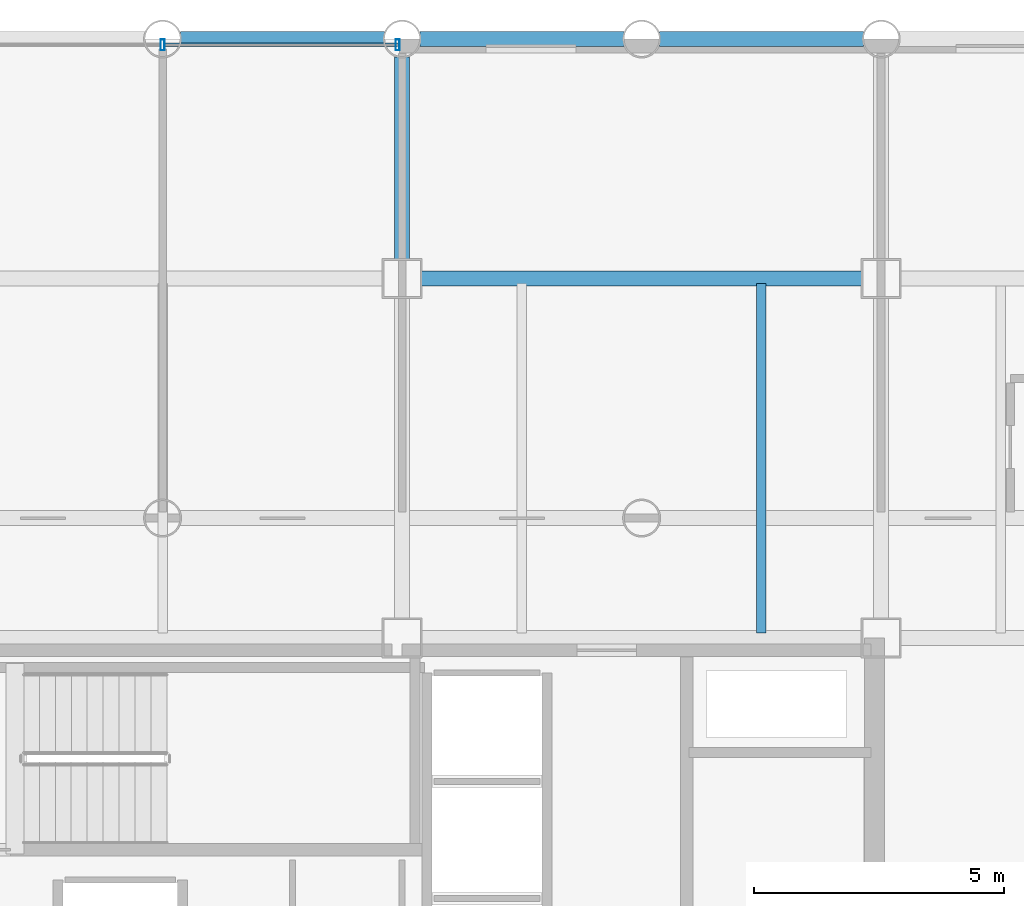
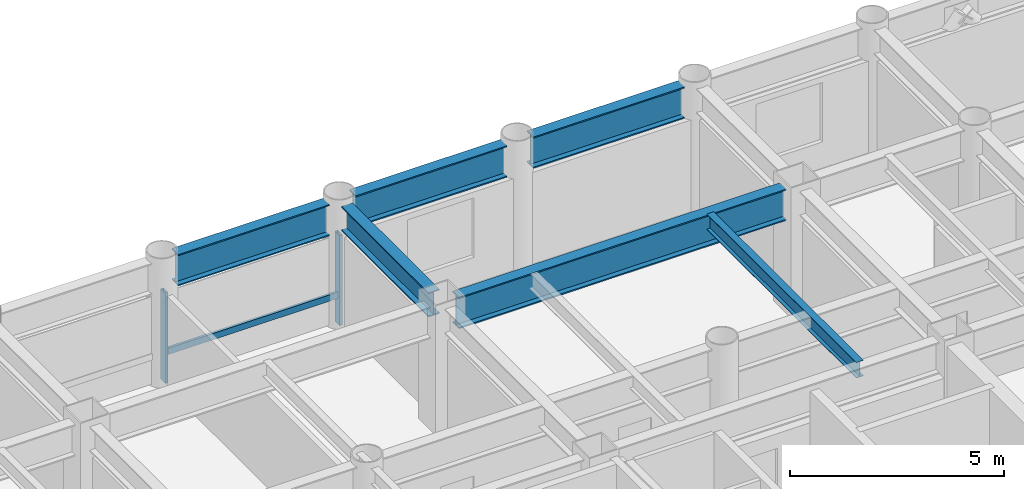
# One storey, part 12 of 21: 6 beams, 3 members, 1 element without a shape of its own.
"""IFC4 building model written with IfcOpenShell, lengths in metres."""

from ifc_helpers import new_model, si_unit, direction, frame, origin, origin_2d, place, context, subcontext, project, spatial, hollow_rectangle, i_section, extrude, material, layer, layer_set, material_profile, profile_set, type_object, element, aggregate, save


model = new_model("IFC4")

# Units and contexts
model_context = context("Model", 3, precision=1e-05, world=origin(), true_north=direction((0.0, 1.0)))
body_context = subcontext(model_context, "Body", "Model", "MODEL_VIEW")
ifc_project = project(units=[si_unit("LENGTHUNIT", "METRE"), si_unit("AREAUNIT", "SQUARE_METRE"), si_unit("VOLUMEUNIT", "CUBIC_METRE"), si_unit("PLANEANGLEUNIT", "RADIAN"), si_unit("MASSUNIT", "GRAM", prefix="KILO")], contexts=[model_context])

# Site, building, storey
site_placement = place(None, origin())
site = spatial("IfcSite", under=ifc_project, at=site_placement, CompositionType="ELEMENT")
building_placement = place(site_placement, origin())
building = spatial("IfcBuilding", under=site, at=building_placement, Name="Kallvorn Hotel Tower", CompositionType="ELEMENT")
storey_placement = place(building_placement, frame((0.0, 0.0, 52.199951171875)))
storey = spatial("IfcBuildingStorey", under=building, at=storey_placement, Name="L11", CompositionType="ELEMENT", Elevation=52.199951171875)

# Beams
ifc_material_1 = material(Name="Structural steel S355JR", Category="steel")
ifc_material_profile_1 = material_profile(ifc_material_1, i_section(OverallWidth=0.300048828125, OverallDepth=0.699951171875, WebThickness=0.01708984375, FlangeThickness=0.031982421875, at=origin_2d()), Name="HE 700 B")
ifc_profile_set_1 = profile_set([ifc_material_profile_1], Name="Structural steel S355JR")
beam_type_1 = type_object("IfcBeamType", Name="BM_HE700B", PredefinedType="BEAM", material=ifc_profile_set_1)
beam_1_placement = place(storey_placement, frame((4.800048828125, 14.77490234375, 3.170166015625), z_axis=(0.0, 1.0, 0.0), x_axis=(-1.0, 0.0, 0.0)))
element("IfcBeam", 1, at=beam_1_placement, inside=storey, type_object=beam_type_1, Name="L12 Primary Y-Girder 118", PredefinedType="BEAM", context=body_context, shape_type="SweptSolid", body=[
    extrude(i_section(OverallWidth=0.300048828125, OverallDepth=0.699951171875, WebThickness=0.01708984375, FlangeThickness=0.031982421875, at=origin_2d()), origin(), (0.0, 0.0, 1.0), 4.069091796875),
])
ifc_material_2 = material(Name="Structural steel S355JR", Category="steel")
ifc_material_profile_2 = material_profile(ifc_material_2, i_section(OverallWidth=0.300048828125, OverallDepth=0.89990234375, WebThickness=0.0185546875, FlangeThickness=0.034912109375, at=origin_2d()), Name="HE 900 B")
ifc_profile_set_2 = profile_set([ifc_material_profile_2], Name="Structural steel S355JR")
beam_type_2 = type_object("IfcBeamType", Name="BM_HE900B", PredefinedType="BEAM", material=ifc_profile_set_2)
beam_2_placement = place(storey_placement, frame((5.175048828125, 14.39990234375, 3.070068359375), z_axis=(1.0, 0.0, 0.0), x_axis=(0.0, 1.0, 0.0)))
element("IfcBeam", 2, at=beam_2_placement, inside=storey, type_object=beam_type_2, Name="L12 Primary X-Girder 57", PredefinedType="BEAM", context=body_context, shape_type="SweptSolid", body=[
    extrude(i_section(OverallWidth=0.300048828125, OverallDepth=0.89990234375, WebThickness=0.0185546875, FlangeThickness=0.034912109375, at=origin_2d()), origin(), (0.0, 0.0, 1.0), 8.849853515625),
])
beam_3_placement = place(storey_placement, frame((0.35595703125, 19.199951171875, 3.070068359375), z_axis=(1.0, 0.0, 0.0), x_axis=(0.0, 1.0, 0.0)))
element("IfcBeam", 3, at=beam_3_placement, inside=storey, type_object=beam_type_2, Name="L12 Primary X-Girder 67", PredefinedType="BEAM", context=body_context, shape_type="SweptSolid", body=[
    extrude(i_section(OverallWidth=0.300048828125, OverallDepth=0.89990234375, WebThickness=0.0185546875, FlangeThickness=0.034912109375, at=origin_2d()), origin(), (0.0, 0.0, 1.0), 4.088134765625),
])
for number, where, z_axis, x_axis, name in (
    (4, (5.156005859375, 19.199951171875, 3.070068359375), (1.0, 0.0, 0.0), (0.0, 1.0, 0.0), "L12 Primary X-Girder 68"),
    (5, (9.9560546875, 19.199951171875, 3.070068359375), (1.0, 0.0, 0.0), (0.0, 1.0, 0.0), "L12 Primary X-Girder 69"),
):
    element("IfcBeam", number, at=place(storey_placement, frame(where, z_axis=z_axis, x_axis=x_axis)), inside=storey, type_object=beam_type_2, Name=name, PredefinedType="BEAM", context=body_context, shape_type="SweptSolid", body=[
        extrude(i_section(OverallWidth=0.300048828125, OverallDepth=0.89990234375, WebThickness=0.0185546875, FlangeThickness=0.034912109375, at=origin_2d()), origin(), (0.0, 0.0, 1.0), 4.087890625),
    ])
ifc_material_3 = material(Name="Structural steel S355JR", Category="steel")
ifc_material_profile_3 = material_profile(ifc_material_3, i_section(OverallWidth=0.18994140625, OverallDepth=0.449951171875, WebThickness=0.009521484375, FlangeThickness=0.0146484375, at=origin_2d()), Name="IPE 450")
ifc_profile_set_3 = profile_set([ifc_material_profile_3], Name="Structural steel S355JR")
beam_type_3 = type_object("IfcBeamType", Name="BM_IPE450", PredefinedType="JOIST", material=ifc_profile_set_3)
beam_4_placement = place(storey_placement, frame((12.0, 7.300048828125, 3.295166015625), z_axis=(0.0, 1.0, 0.0), x_axis=(-1.0, 0.0, 0.0)))
element("IfcBeam", 6, at=beam_4_placement, inside=storey, type_object=beam_type_3, Name="L12 Secondary Composite Joist 205", PredefinedType="JOIST", context=body_context, shape_type="SweptSolid", body=[
    extrude(i_section(OverallWidth=0.18994140625, OverallDepth=0.449951171875, WebThickness=0.009521484375, FlangeThickness=0.0146484375, at=origin_2d()), origin(), (0.0, 0.0, 1.0), 7.0),
])

# Curtain wall, members
ifc_material_4 = material(Name="Thermally broken black-anodised aluminium AA 6063-T6", Category="aluminium")
ifc_layer = layer(ifc_material_4, 0.199951171875)
ifc_layer_set = layer_set([ifc_layer], Name="CW_SYS_3_HOTEL_LOW")
curtain_wall_type = type_object("IfcCurtainWallType", Name="CW_SYS_3_HOTEL_LOW", PredefinedType="USERDEFINED", material=ifc_layer_set)
curtain_wall_placement = place(storey_placement, origin())
curtain_wall = element("IfcCurtainWall", 7, at=curtain_wall_placement, inside=storey, type_object=curtain_wall_type, Name="L11 Dark-Glass Curtain Wall CW-L11-NC", ObjectType="UNITISED CURTAIN WALL", PredefinedType="USERDEFINED")
ifc_material_5 = material(Name="Thermally broken black-anodised aluminium AA 6063-T6", Category="aluminium")
ifc_material_profile_4 = material_profile(ifc_material_5, hollow_rectangle(XDim=0.080078125, YDim=0.219970703125, WallThickness=0.0048828125, at=origin_2d()), Name="MUL 220x80")
ifc_profile_set_4 = profile_set([ifc_material_profile_4], Name="Thermally broken black-anodised aluminium AA 6063-T6")
member_type_1 = type_object("IfcMemberType", Name="CW_MULLION_220x80", PredefinedType="MULLION", material=ifc_profile_set_4)
member_1_placement = place(storey_placement, frame((0.0, 19.080078125, 0.02001953125), z_axis=(0.0, 0.0, 1.0), x_axis=(1.0, 0.0, 0.0)))
member_1 = element("IfcMember", 8, at=member_1_placement, type_object=member_type_1, Name="CW-L11-NC Mullion 01", PredefinedType="MULLION", context=body_context, shape_type="SweptSolid", body=[
    extrude(hollow_rectangle(XDim=0.080078125, YDim=0.219970703125, WallThickness=0.0048828125, at=origin_2d()), origin(), (0.0, 0.0, 1.0), 2.580078125),
])
member_2_placement = place(storey_placement, frame((4.7099609375, 19.080078125, 0.02001953125), z_axis=(0.0, 0.0, 1.0), x_axis=(1.0, 0.0, 0.0)))
member_2 = element("IfcMember", 9, at=member_2_placement, type_object=member_type_1, Name="CW-L11-NC Mullion 02", PredefinedType="MULLION", context=body_context, shape_type="SweptSolid", body=[
    extrude(hollow_rectangle(XDim=0.080078125, YDim=0.219970703125, WallThickness=0.0048828125, at=origin_2d()), origin(), (0.0, 0.0, 1.0), 2.580078125),
])
ifc_material_6 = material(Name="Thermally broken black-anodised aluminium AA 6063-T6", Category="aluminium")
ifc_material_profile_5 = material_profile(ifc_material_6, hollow_rectangle(XDim=0.070068359375, YDim=0.179931640625, WallThickness=0.00390625, at=origin_2d()), Name="TRN 180x70")
ifc_profile_set_5 = profile_set([ifc_material_profile_5], Name="Thermally broken black-anodised aluminium AA 6063-T6")
member_type_2 = type_object("IfcMemberType", Name="CW_TRANSOM_180x70", PredefinedType="USERDEFINED", material=ifc_profile_set_5)
member_3_placement = place(storey_placement, frame((0.0400390625, 19.080078125, 0.85009765625), z_axis=(1.0, 0.0, 0.0), x_axis=(0.0, 1.0, 0.0)))
member_3 = element("IfcMember", 10, at=member_3_placement, type_object=member_type_2, Name="CW-L11-NC Transom 01M", ObjectType="TRANSOM", PredefinedType="USERDEFINED", context=body_context, shape_type="SweptSolid", body=[
    extrude(hollow_rectangle(XDim=0.070068359375, YDim=0.179931640625, WallThickness=0.00390625, at=origin_2d()), origin(), (0.0, 0.0, 1.0), 4.669921875),
])
aggregate(curtain_wall, [member_1, member_2, member_3])

save(model, "model.ifc")
